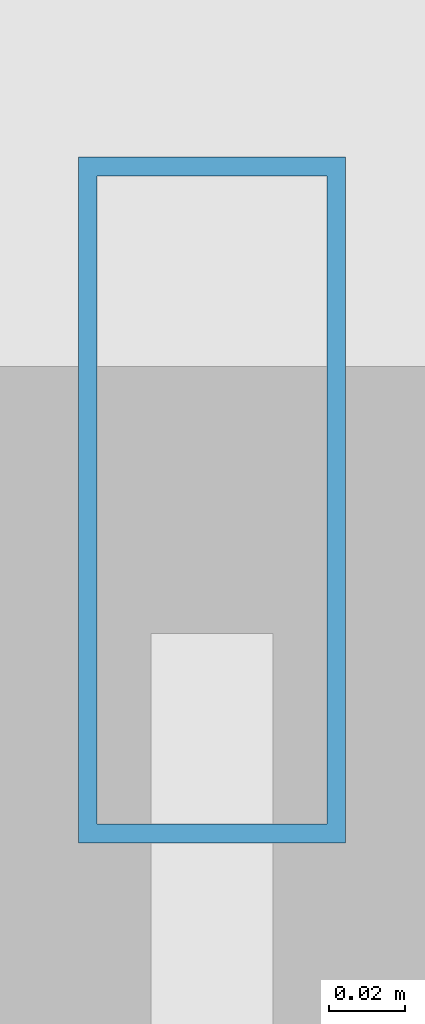
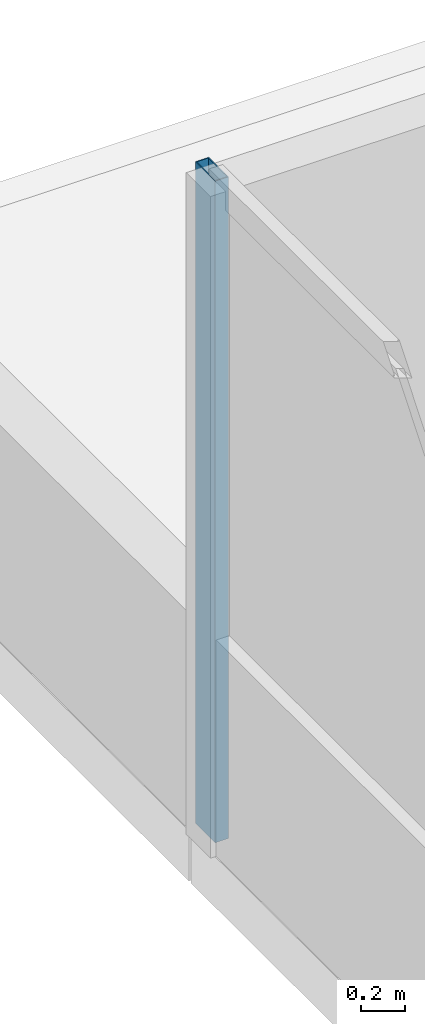
# One storey, part 17 of 30: 1 member, 1 element without a shape of its own.
"""IFC4 building model written with IfcOpenShell, lengths in metres."""

from ifc_helpers import new_model, si_unit, direction, frame, origin, origin_2d, place, context, subcontext, project, spatial, hollow_rectangle, extrude, source, transform, mapped, material, material_profile, profile_set, type_object, type_shapes, element, aggregate, save


model = new_model("IFC4")

# Units and contexts
model_context = context("Model", 3, precision=1e-05, world=origin(), true_north=direction((0.0, 1.0)))
body_context = subcontext(model_context, "Body", "Model", "MODEL_VIEW")
ifc_project = project(units=[si_unit("LENGTHUNIT", "METRE"), si_unit("AREAUNIT", "SQUARE_METRE"), si_unit("VOLUMEUNIT", "CUBIC_METRE"), si_unit("PLANEANGLEUNIT", "RADIAN"), si_unit("MASSUNIT", "GRAM", prefix="KILO")], contexts=[model_context])

# Site, building, storey
site_placement = place(None, origin())
site = spatial("IfcSite", under=ifc_project, at=site_placement, CompositionType="ELEMENT")
building_placement = place(site_placement, origin())
building = spatial("IfcBuilding", under=site, at=building_placement, Name="Krantzveldt Concourse Tower", CompositionType="ELEMENT")
storey_placement = place(building_placement, frame((0.0, 0.0, 25.0)))
storey = spatial("IfcBuildingStorey", under=building, at=storey_placement, Name="L05", CompositionType="ELEMENT", Elevation=25.0)

# Curtain wall, member
ifc_material = material(Name="Anodised aluminium 6063-T6", Category="aluminium")
curtain_wall_type = type_object("IfcCurtainWallType", Name="CW2", PredefinedType="USERDEFINED", material=ifc_material)
curtain_wall_placement = place(storey_placement, origin())
curtain_wall = element("IfcCurtainWall", 1, at=curtain_wall_placement, inside=storey, type_object=curtain_wall_type, Name="CW-L05-F01", ObjectType="UNITISED CURTAIN WALL", PredefinedType="USERDEFINED")
ifc_material_profile = material_profile(ifc_material, hollow_rectangle(XDim=0.070068359375, YDim=0.179931640625, WallThickness=0.0048828125, at=origin_2d()), Name="Anodised aluminium 6063-T6", Category="aluminium")
ifc_profile_set = profile_set([ifc_material_profile], Name="Anodised aluminium 6063-T6 - ALU-MULL 180x70x5")
member_type = type_object("IfcMemberType", Name="CW-MUL-180", PredefinedType="MULLION", material=ifc_profile_set)
shared_shape = source(origin(), body_context, "Body", "SweptSolid", [
    extrude(hollow_rectangle(XDim=0.070068359375, YDim=0.179931640625, WallThickness=0.0048828125, at=origin_2d()), origin(), (0.0, 0.0, 1.0), 3.669921875),
])
type_shapes(member_type, [shared_shape])
member_placement = place(storey_placement, frame((11.090087890625, 48.1650390625, 0.0), z_axis=(0.0, 0.0, 1.0), x_axis=(1.0, 0.0, 0.0)))
member = element("IfcMember", 2, at=member_placement, type_object=member_type, Name="CW-Z12 mullion 1", PredefinedType="MULLION", context=body_context, shape_type="MappedRepresentation", body=[
    mapped(shared_shape, transform((0.0, 0.0, 0.0), x_axis=(1.0, 0.0, 0.0), y_axis=(0.0, 1.0, 0.0), z_axis=(0.0, 0.0, 1.0), scale=1.0)),
])
aggregate(curtain_wall, [member])

save(model, "model.ifc")
